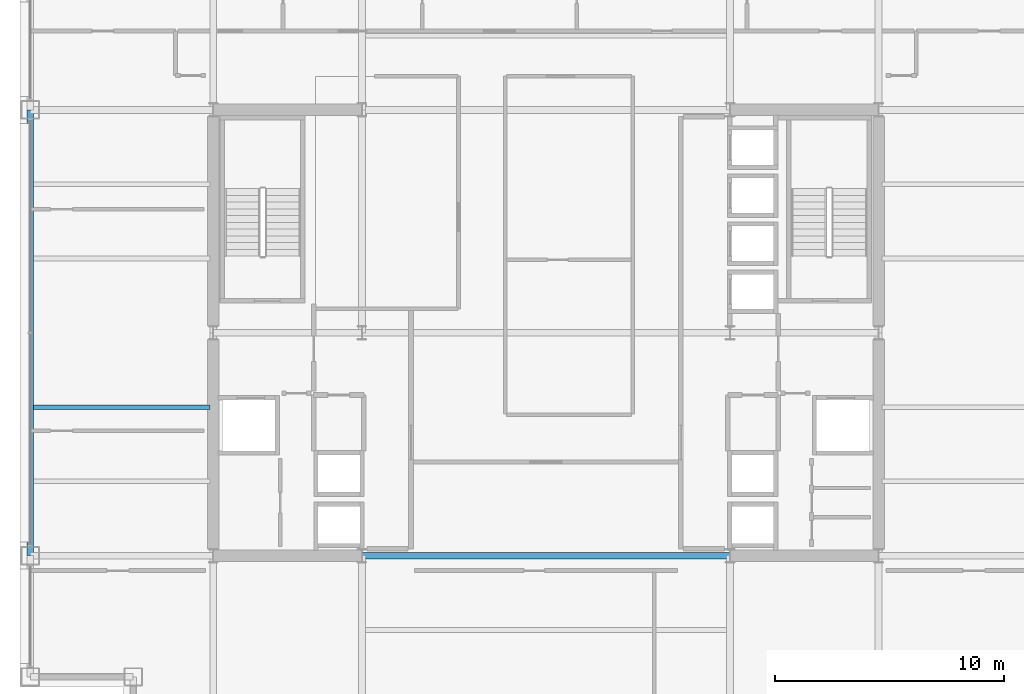
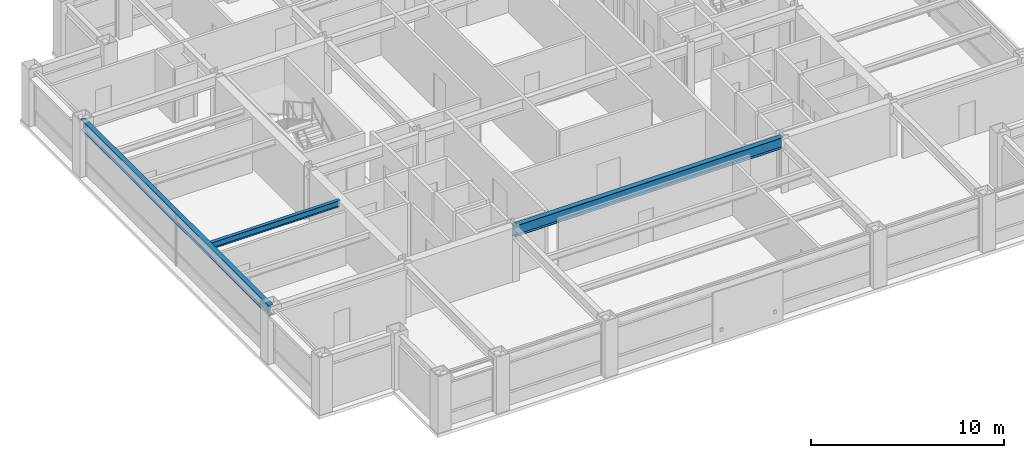
# One storey, part 7 of 28: 3 beams.
"""IFC4 building model written with IfcOpenShell, lengths in metres."""

from ifc_helpers import new_model, si_unit, direction, frame, origin, origin_2d, place, context, subcontext, project, spatial, i_section, extrude, material, material_profile, profile_set, type_object, element, save


model = new_model("IFC4")

# Units and contexts
model_context = context("Model", 3, precision=1e-05, world=origin(), true_north=direction((0.0, 1.0)))
body_context = subcontext(model_context, "Body", "Model", "MODEL_VIEW")
ifc_project = project(units=[si_unit("LENGTHUNIT", "METRE"), si_unit("AREAUNIT", "SQUARE_METRE"), si_unit("VOLUMEUNIT", "CUBIC_METRE"), si_unit("PLANEANGLEUNIT", "RADIAN"), si_unit("MASSUNIT", "GRAM", prefix="KILO")], contexts=[model_context])

# Site, building, storey
site_placement = place(None, origin())
site = spatial("IfcSite", under=ifc_project, at=site_placement, CompositionType="ELEMENT")
building_placement = place(site_placement, origin())
building = spatial("IfcBuilding", under=site, at=building_placement, Name="Brelmoor Portico Tower", CompositionType="ELEMENT")
storey_placement = place(building_placement, frame((0.0, 0.0, 142.199951171875)))
storey = spatial("IfcBuildingStorey", under=building, at=storey_placement, Name="L37", CompositionType="ELEMENT", Elevation=142.199951171875)

# Beams
ifc_material = material(Name="Steel Q355B", Category="steel")
ifc_material_profile_1 = material_profile(ifc_material, i_section(OverallWidth=0.199951171875, OverallDepth=0.39990234375, WebThickness=0.008056640625, FlangeThickness=0.012939453125, at=origin_2d()), Name="HN 400x200x8x13")
ifc_profile_set_1 = profile_set([ifc_material_profile_1], Name="Steel Q355B")
beam_type_1 = type_object("IfcBeamType", Name="BM-JS-400", PredefinedType="JOIST", material=ifc_profile_set_1)
beam_1_placement = place(storey_placement, frame((-22.409912109375, -3.25, 3.199951171875), z_axis=(1.0, 0.0, 0.0), x_axis=(0.0, 1.0, 0.0)))
element("IfcBeam", 1, at=beam_1_placement, inside=storey, type_object=beam_type_1, Name="L37 Secondary Wing Joist JS-W06", PredefinedType="JOIST", context=body_context, shape_type="SweptSolid", body=[
    extrude(i_section(OverallWidth=0.199951171875, OverallDepth=0.39990234375, WebThickness=0.008056640625, FlangeThickness=0.012939453125, at=origin_2d()), origin(), (0.0, 0.0, 1.0), 7.7099609375),
])
ifc_material_profile_2 = material_profile(ifc_material, i_section(OverallWidth=0.300048828125, OverallDepth=0.699951171875, WebThickness=0.012939453125, FlangeThickness=0.02392578125, at=origin_2d()), Name="HN 700x300x13x24")
ifc_profile_set_2 = profile_set([ifc_material_profile_2], Name="Steel Q355B")
beam_type_2 = type_object("IfcBeamType", Name="BM-PG-700", PredefinedType="BEAM", material=ifc_profile_set_2)
beam_2_placement = place(storey_placement, frame((-8.050048828125, -9.75, 3.050048828125), z_axis=(1.0, 0.0, 0.0), x_axis=(0.0, 1.0, 0.0)))
element("IfcBeam", 2, at=beam_2_placement, inside=storey, type_object=beam_type_2, Name="L37 Primary Floor Girder PG-16", PredefinedType="BEAM", context=body_context, shape_type="SweptSolid", body=[
    extrude(i_section(OverallWidth=0.300048828125, OverallDepth=0.699951171875, WebThickness=0.012939453125, FlangeThickness=0.02392578125, at=origin_2d()), origin(), (0.0, 0.0, 1.0), 16.10009765625),
])
ifc_material_profile_3 = material_profile(ifc_material, i_section(OverallWidth=0.280029296875, OverallDepth=0.64990234375, WebThickness=0.012939453125, FlangeThickness=0.02197265625, at=origin_2d()), Name="HN 650x280x13x22")
ifc_profile_set_3 = profile_set([ifc_material_profile_3], Name="Steel Q355B")
beam_type_3 = type_object("IfcBeamType", Name="BM-SP-650", PredefinedType="SPANDREL", material=ifc_profile_set_3)
beam_3_placement = place(storey_placement, frame((-22.550048828125, -9.75, 3.074951171875), z_axis=(0.0, 1.0, 0.0), x_axis=(-1.0, 0.0, 0.0)))
element("IfcBeam", 3, at=beam_3_placement, inside=storey, type_object=beam_type_3, Name="L37 Perimeter Spandrel Beam SP-16", PredefinedType="SPANDREL", context=body_context, shape_type="SweptSolid", body=[
    extrude(i_section(OverallWidth=0.280029296875, OverallDepth=0.64990234375, WebThickness=0.012939453125, FlangeThickness=0.02197265625, at=origin_2d()), origin(), (0.0, 0.0, 1.0), 19.5),
])

save(model, "model.ifc")
